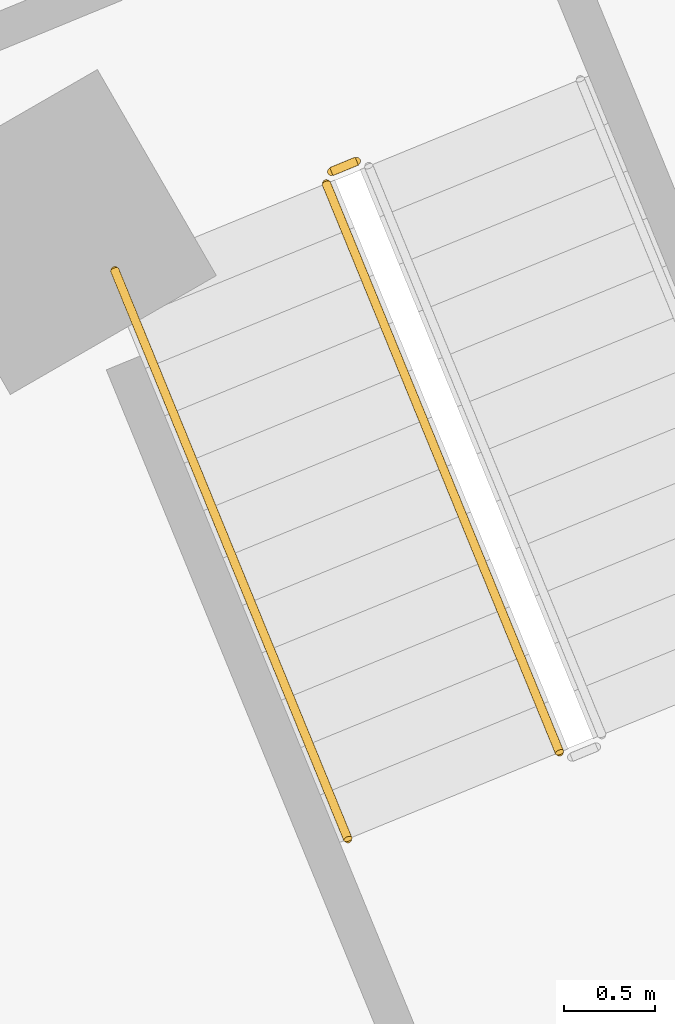
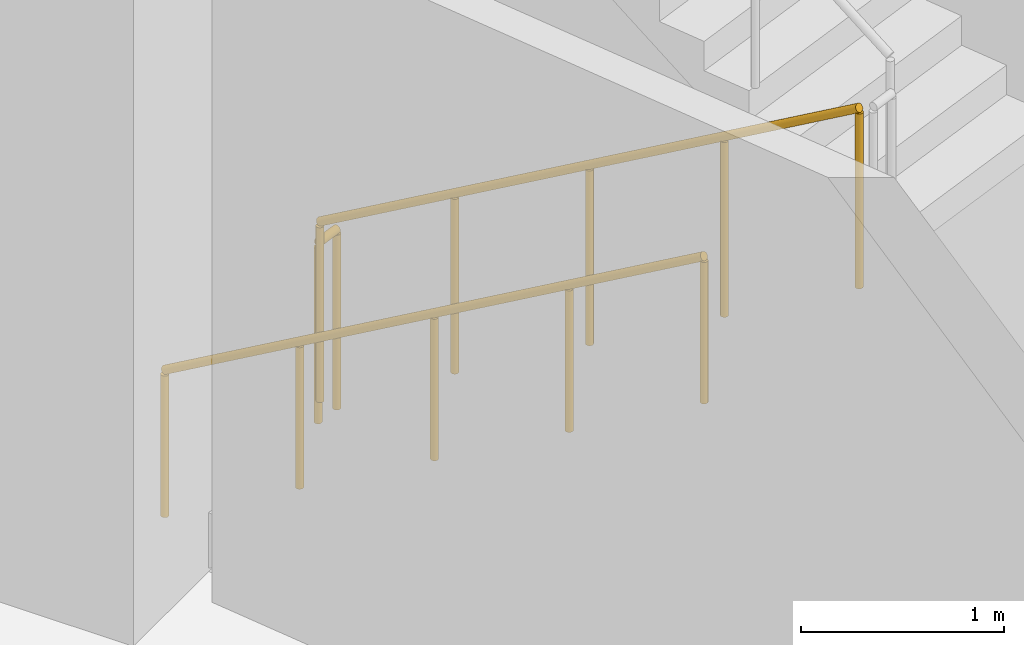
# One storey, part 37 of 39: 3 railings.
"""IFC4 building model written with IfcOpenShell, lengths in metres."""

from ifc_helpers import new_model, si_unit, direction, frame, origin, origin_2d, place, context, subcontext, project, spatial, circle, extrude, material, type_object, element, save


model = new_model("IFC4")

# Units and contexts
model_context = context("Model", 3, precision=1e-05, world=origin(), true_north=direction((0.0, 1.0)))
body_context = subcontext(model_context, "Body", "Model", "MODEL_VIEW")
ifc_project = project(units=[si_unit("LENGTHUNIT", "METRE"), si_unit("AREAUNIT", "SQUARE_METRE"), si_unit("VOLUMEUNIT", "CUBIC_METRE"), si_unit("PLANEANGLEUNIT", "RADIAN"), si_unit("MASSUNIT", "GRAM", prefix="KILO")], contexts=[model_context])

# Site, building, storey
site_placement = place(None, origin())
site = spatial("IfcSite", under=ifc_project, at=site_placement, CompositionType="ELEMENT")
building_placement = place(site_placement, origin())
building = spatial("IfcBuilding", under=site, at=building_placement, Name="Stone Belt Terrace Tower", CompositionType="ELEMENT")
storey_placement = place(building_placement, frame((0.0, 0.0, 16.199951171875)))
storey = spatial("IfcBuildingStorey", under=building, at=storey_placement, Name="L03", CompositionType="ELEMENT", Elevation=16.199951171875)

# Railings
ifc_material_1 = material(Name="Steel balustrade", Category="steel")
railing_type_1 = type_object("IfcRailingType", Name="Podium stair guard", PredefinedType="GUARDRAIL", material=ifc_material_1)
railing_1_placement = place(storey_placement, frame((58.204345703125, 33.009521484375, 0.177001953125)))
element("IfcRailing", 1, at=railing_1_placement, inside=storey, type_object=railing_type_1, Name="L03 PS4 stair guard 1", PredefinedType="GUARDRAIL", context=body_context, shape_type="SweptSolid", body=[
    extrude(circle(Radius=0.02392578125, at=origin_2d()), frame((0.0, 0.0, 1.076171875), z_axis=(0.320647790343, -0.782208613453, 0.534167276785), x_axis=(0.925275877227, 0.379294807533, 0.0)), (0.0, 0.0, 1.0), 3.974609375),
    extrude(circle(Radius=0.02099609375, at=origin_2d()), origin(), (0.0, 0.0, 1.0), 1.052001953125),
    extrude(circle(Radius=0.02099609375, at=origin_2d()), frame((0.318603515625, -0.77734375, 0.53076171875)), (0.0, 0.0, 1.0), 1.052001953125),
    extrude(circle(Radius=0.02099609375, at=origin_2d()), frame((0.63720703125, -1.554443359375, 1.0615234375)), (0.0, 0.0, 1.0), 1.052001953125),
    extrude(circle(Radius=0.02099609375, at=origin_2d()), frame((0.955810546875, -2.33154296875, 1.59228515625)), (0.0, 0.0, 1.0), 1.052001953125),
    extrude(circle(Radius=0.02099609375, at=origin_2d()), frame((1.2744140625, -3.10888671875, 2.123046875)), (0.0, 0.0, 1.0), 1.052001953125),
])
railing_2_placement = place(storey_placement, frame((58.231689453125, 33.07470703125, 0.0)))
element("IfcRailing", 2, at=railing_2_placement, inside=storey, type_object=railing_type_1, Name="L03 PS4 stair guard 4", PredefinedType="GUARDRAIL", context=body_context, shape_type="SweptSolid", body=[
    extrude(circle(Radius=0.02392578125, at=origin_2d()), frame((0.0, 0.0, 1.076171875), z_axis=(0.925417366351, 0.378949466362, 0.0), x_axis=(-0.378949466362, 0.925417366351, 0.0)), (0.0, 0.0, 1.0), 0.150146484375),
    extrude(circle(Radius=0.02099609375, at=origin_2d()), origin(), (0.0, 0.0, 1.0), 1.052001953125),
    extrude(circle(Radius=0.02099609375, at=origin_2d()), frame((0.138916015625, 0.056884765625, 0.0)), (0.0, 0.0, 1.0), 1.052001953125),
])
ifc_material_2 = material(Name="Stainless steel handrail", Category="steel")
railing_type_2 = type_object("IfcRailingType", Name="Podium stair handrail", PredefinedType="HANDRAIL", material=ifc_material_2)
railing_3_placement = place(storey_placement, frame((57.0478515625, 32.535400390625, 0.177001953125)))
element("IfcRailing", 3, at=railing_3_placement, inside=storey, type_object=railing_type_2, Name="L03 PS4 stair handrail 1", PredefinedType="HANDRAIL", context=body_context, shape_type="SweptSolid", body=[
    extrude(circle(Radius=0.02392578125, at=origin_2d()), frame((0.0, 0.0, 0.8759765625), z_axis=(0.320592677529, -0.782224019096, 0.53417779724), x_axis=(0.925301376681, 0.379232596584, 0.0)), (0.0, 0.0, 1.0), 3.974365234375),
    extrude(circle(Radius=0.02099609375, at=origin_2d()), origin(), (0.0, 0.0, 1.0), 0.851806640625),
    extrude(circle(Radius=0.02099609375, at=origin_2d()), frame((0.318603515625, -0.77734375, 0.53076171875)), (0.0, 0.0, 1.0), 0.851806640625),
    extrude(circle(Radius=0.02099609375, at=origin_2d()), frame((0.63720703125, -1.554443359375, 1.0615234375)), (0.0, 0.0, 1.0), 0.851806640625),
    extrude(circle(Radius=0.02099609375, at=origin_2d()), frame((0.95556640625, -2.33154296875, 1.59228515625)), (0.0, 0.0, 1.0), 0.851806640625),
    extrude(circle(Radius=0.02099609375, at=origin_2d()), frame((1.274169921875, -3.10888671875, 2.123046875)), (0.0, 0.0, 1.0), 0.851806640625),
])

save(model, "model.ifc")
